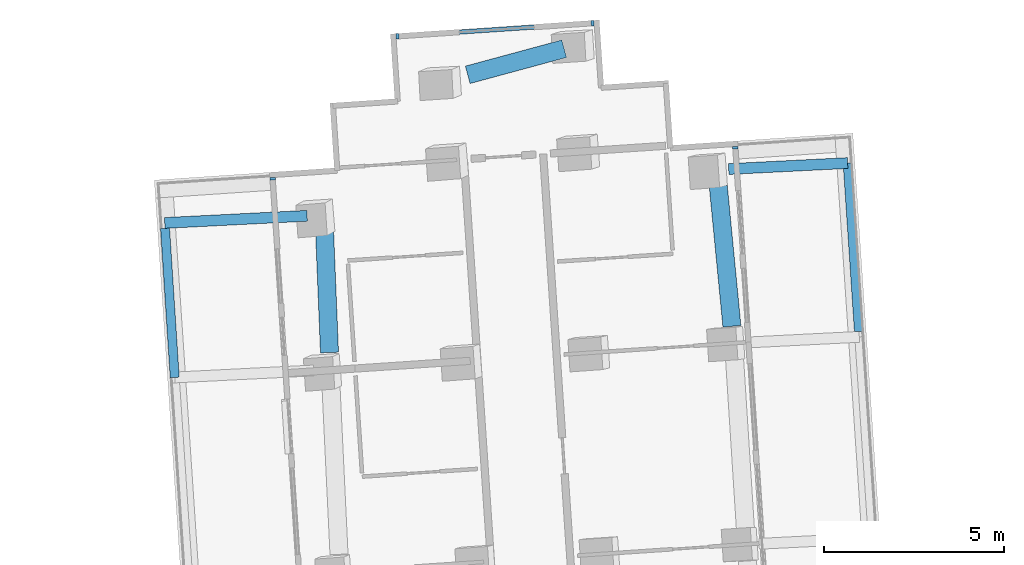
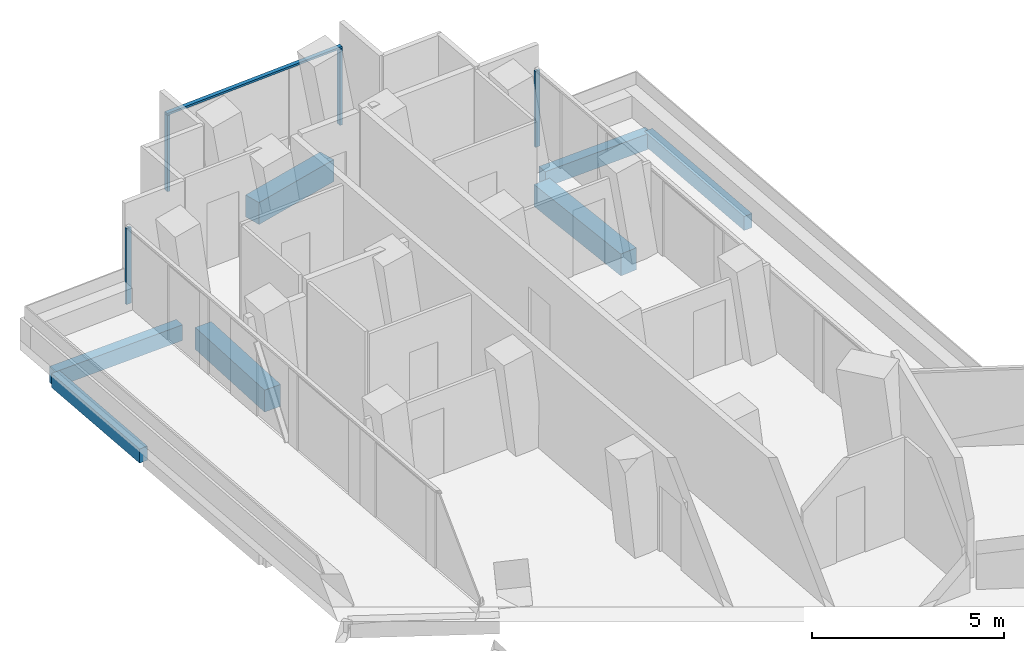
# One storey, part 12 of 25: 7 beams, 5 members, 3 elements without a shape of their own.
"""IFC4 building model written with IfcOpenShell, lengths in metres."""

from ifc_helpers import new_model, si_unit, direction, frame, origin, origin_2d, place, context, subcontext, project, spatial, rectangle, extrude, material, layer, layer_set, material_profile, profile_set, type_object, element, aggregate, save


model = new_model("IFC4")

# Units and contexts
model_context = context("Model", 3, precision=1e-05, world=origin(), true_north=direction((0.0, 1.0)))
body_context = subcontext(model_context, "Body", "Model", "MODEL_VIEW")
ifc_project = project(units=[si_unit("LENGTHUNIT", "METRE"), si_unit("AREAUNIT", "SQUARE_METRE"), si_unit("VOLUMEUNIT", "CUBIC_METRE"), si_unit("PLANEANGLEUNIT", "RADIAN"), si_unit("MASSUNIT", "GRAM", prefix="KILO")], contexts=[model_context])

# Site, building, storey
site_placement = place(None, origin())
site = spatial("IfcSite", under=ifc_project, at=site_placement, CompositionType="ELEMENT")
building_placement = place(site_placement, origin())
building = spatial("IfcBuilding", under=site, at=building_placement, Name="Verdalira Terraces Hotel", CompositionType="ELEMENT")
storey_placement = place(building_placement, frame((0.0, 0.0, 49.5)))
storey = spatial("IfcBuildingStorey", under=building, at=storey_placement, Name="L10", CompositionType="ELEMENT", Elevation=49.5)

# Beams
ifc_material_1 = material(Name="Concrete C40", Category="concrete")
ifc_material_profile_1 = material_profile(ifc_material_1, rectangle(XDim=0.300049, YDim=0.5, at=origin_2d()), Name="RC 300X500")
ifc_profile_set_1 = profile_set([ifc_material_profile_1], Name="Concrete C40")
beam_type_1 = type_object("IfcBeamType", Name="Balcony cantilever beam RC 300X500 C40", PredefinedType="BEAM", material=ifc_profile_set_1)
beam_1_placement = place(storey_placement, frame((3.490479, 40.572266, -0.560059), z_axis=(0.998738096, 0.050221667, 0.0), x_axis=(-0.050221667, 0.998738096, 0.0)))
element("IfcBeam", 1, at=beam_1_placement, inside=storey, type_object=beam_type_1, Name="Balcony cantilever beam R00-4", PredefinedType="BEAM", context=body_context, shape_type="SweptSolid", body=[
    extrude(rectangle(XDim=0.300049, YDim=0.5, at=origin_2d()), origin(), (0.0, 0.0, 1.0), 3.300781),
])
beam_2_placement = place(storey_placement, frame((-8.189453, 39.276855, -0.560059), z_axis=(-0.998736723, -0.050248961, 0.0), x_axis=(0.050248961, -0.998736723, 0.0)))
element("IfcBeam", 2, at=beam_2_placement, inside=storey, type_object=beam_type_1, Name="Balcony cantilever beam R10-4", PredefinedType="BEAM", context=body_context, shape_type="SweptSolid", body=[
    extrude(rectangle(XDim=0.300049, YDim=0.5, at=origin_2d()), origin(), (0.0, 0.0, 1.0), 3.949951),
])
ifc_material_2 = material(Name="Concrete C40", Category="concrete")
ifc_material_profile_2 = material_profile(ifc_material_2, rectangle(XDim=0.25, YDim=0.449951, at=origin_2d()), Name="RC 250X450")
ifc_profile_set_2 = profile_set([ifc_material_profile_2], Name="Concrete C40")
beam_type_2 = type_object("IfcBeamType", Name="Balcony edge beam RC 250X450 C40", PredefinedType="BEAM", material=ifc_profile_set_2)
beam_3_placement = place(storey_placement, frame((7.100098, 36.072754, -0.534912), z_axis=(-0.066938334, 0.997757114, 0.0), x_axis=(-0.997757114, -0.066938334, 0.0)))
element("IfcBeam", 3, at=beam_3_placement, inside=storey, type_object=beam_type_2, Name="Balcony edge beam R00-3", PredefinedType="BEAM", context=body_context, shape_type="SweptSolid", body=[
    extrude(rectangle(XDim=0.25, YDim=0.449951, at=origin_2d()), origin(), (0.0, 0.0, 1.0), 4.675781),
])
beam_4_placement = place(storey_placement, frame((-12.124756, 38.928711, -0.534912), z_axis=(0.064636142, -0.997908898, 0.0), x_axis=(0.997908898, 0.064636142, 0.0)))
element("IfcBeam", 4, at=beam_4_placement, inside=storey, type_object=beam_type_2, Name="Balcony edge beam R10-3", PredefinedType="BEAM", context=body_context, shape_type="SweptSolid", body=[
    extrude(rectangle(XDim=0.25, YDim=0.449951, at=origin_2d()), origin(), (0.0, 0.0, 1.0), 4.139648),
])

# Curtain wall, member
ifc_material_3 = material(Name="Clear glass", Category="glass")
ifc_layer_1 = layer(ifc_material_3, 0.14990234375)
ifc_layer_set_1 = layer_set([ifc_layer_1], Name="CW2 curtain wall")
curtain_wall_type_1 = type_object("IfcCurtainWallType", Name="CW2 curtain wall", PredefinedType="NOTDEFINED", material=ifc_layer_set_1)
curtain_wall_1_placement = place(storey_placement, origin())
curtain_wall_1 = element("IfcCurtainWall", 5, at=curtain_wall_1_placement, inside=storey, type_object=curtain_wall_type_1, Name="CW2 curtain wall L10 edge 0", PredefinedType="NOTDEFINED")
ifc_material_4 = material(Name="Terracotta frame", Category="masonry")
ifc_material_profile_3 = material_profile(ifc_material_4, rectangle(XDim=0.070068, YDim=0.149902, at=origin_2d()), Name="MU 70x150")
ifc_profile_set_3 = profile_set([ifc_material_profile_3], Name="Terracotta frame")
member_type_1 = type_object("IfcMemberType", Name="CW2 mullion 70x150", PredefinedType="MULLION", material=ifc_profile_set_3)
member_1_placement = place(storey_placement, frame((3.676758, 41.161621, 0.0), z_axis=(0.0, 0.0, 1.0), x_axis=(-0.066970481, 0.997754957, 0.0)))
member_1 = element("IfcMember", 6, at=member_1_placement, type_object=member_type_1, Name="CW2 mullion", PredefinedType="MULLION", context=body_context, shape_type="SweptSolid", body=[
    extrude(rectangle(XDim=0.070068, YDim=0.149902, at=origin_2d()), origin(), (0.0, 0.0, 1.0), 2.425049),
])
aggregate(curtain_wall_1, [member_1])

curtain_wall_2_placement = place(storey_placement, origin())
curtain_wall_2 = element("IfcCurtainWall", 7, at=curtain_wall_2_placement, inside=storey, type_object=curtain_wall_type_1, Name="CW2 curtain wall L10 edge 10", PredefinedType="NOTDEFINED")
member_2_placement = place(storey_placement, frame((-9.144531, 40.301025, 0.0), z_axis=(0.0, 0.0, 1.0), x_axis=(0.066970481, -0.997754957, 0.0)))
member_2 = element("IfcMember", 8, at=member_2_placement, type_object=member_type_1, Name="CW2 mullion", PredefinedType="MULLION", context=body_context, shape_type="SweptSolid", body=[
    extrude(rectangle(XDim=0.070068, YDim=0.149902, at=origin_2d()), origin(), (0.0, 0.0, 1.0), 2.425049),
])
aggregate(curtain_wall_2, [member_2])

# Curtain wall, members
ifc_material_5 = material(Name="Clear glass", Category="glass")
ifc_layer_2 = layer(ifc_material_5, 0.14990234375)
ifc_layer_set_2 = layer_set([ifc_layer_2], Name="CW3 curtain wall")
curtain_wall_type_2 = type_object("IfcCurtainWallType", Name="CW3 curtain wall", PredefinedType="NOTDEFINED", material=ifc_layer_set_2)
curtain_wall_3_placement = place(storey_placement, origin())
curtain_wall_3 = element("IfcCurtainWall", 9, at=curtain_wall_3_placement, inside=storey, type_object=curtain_wall_type_2, Name="CW3 curtain wall L10 edge 5", PredefinedType="NOTDEFINED")
ifc_material_6 = material(Name="Terracotta frame", Category="masonry")
ifc_material_profile_4 = material_profile(ifc_material_6, rectangle(XDim=0.080078, YDim=0.149902, at=origin_2d()), Name="MU 80x150")
ifc_profile_set_4 = profile_set([ifc_material_profile_4], Name="Terracotta frame")
member_type_2 = type_object("IfcMemberType", Name="CW3 mullion 80x150", PredefinedType="MULLION", material=ifc_profile_set_4)
member_3_placement = place(storey_placement, frame((-0.278564, 44.614502, 0.0), z_axis=(0.0, 0.0, 1.0), x_axis=(-0.997754957, -0.066970481, 0.0)))
member_3 = element("IfcMember", 10, at=member_3_placement, type_object=member_type_2, Name="CW3 mullion", PredefinedType="MULLION", context=body_context, shape_type="SweptSolid", body=[
    extrude(rectangle(XDim=0.080078, YDim=0.149902, at=origin_2d()), origin(), (0.0, 0.0, 1.0), 2.425049),
])
member_4_placement = place(storey_placement, frame((-5.686279, 44.251465, 0.0), z_axis=(0.0, 0.0, 1.0), x_axis=(-0.997754957, -0.066970481, 0.0)))
member_4 = element("IfcMember", 11, at=member_4_placement, type_object=member_type_2, Name="CW3 mullion", PredefinedType="MULLION", context=body_context, shape_type="SweptSolid", body=[
    extrude(rectangle(XDim=0.080078, YDim=0.149902, at=origin_2d()), origin(), (0.0, 0.0, 1.0), 2.425049),
])
ifc_material_7 = material(Name="Terracotta frame", Category="masonry")
ifc_material_profile_5 = material_profile(ifc_material_7, rectangle(XDim=0.120117, YDim=0.064941, at=origin_2d()), Name="TR 65x120")
ifc_profile_set_5 = profile_set([ifc_material_profile_5], Name="Terracotta frame")
member_type_3 = type_object("IfcMemberType", Name="CW3 transom 65x120", PredefinedType="USERDEFINED", material=ifc_profile_set_5)
member_5_placement = place(storey_placement, frame((-0.238525, 44.617188, 2.45752), z_axis=(-0.997754215, -0.066981542, 0.0), x_axis=(0.066981542, -0.997754215, 0.0)))
member_5 = element("IfcMember", 12, at=member_5_placement, type_object=member_type_3, Name="CW3 transom", ObjectType="TRANSOM", PredefinedType="USERDEFINED", context=body_context, shape_type="SweptSolid", body=[
    extrude(rectangle(XDim=0.120117, YDim=0.064941, at=origin_2d()), origin(), (0.0, 0.0, 1.0), 5.500244),
])
aggregate(curtain_wall_3, [member_3, member_4, member_5])

# Beams
ifc_material_8 = material(Name="Concrete C70", Category="concrete")
ifc_material_profile_6 = material_profile(ifc_material_8, rectangle(XDim=0.5, YDim=0.699951, at=origin_2d()), Name="RC 500X700")
ifc_profile_set_6 = profile_set([ifc_material_profile_6], Name="Concrete C70")
beam_type_3 = type_object("IfcBeamType", Name="Spandrel beam RC 500X700 C70", PredefinedType="SPANDREL", material=ifc_profile_set_6)
beam_5_placement = place(storey_placement, frame((3.580811, 36.21582, -0.659912), z_axis=(-0.096782339, 0.995305571, 0.0), x_axis=(-0.995305571, -0.096782339, 0.0)))
element("IfcBeam", 13, at=beam_5_placement, inside=storey, type_object=beam_type_3, Name="Spandrel beam B03", PredefinedType="SPANDREL", context=body_context, shape_type="SweptSolid", body=[
    extrude(rectangle(XDim=0.5, YDim=0.699951, at=origin_2d()), origin(), (0.0, 0.0, 1.0), 3.899902),
])
beam_6_placement = place(storey_placement, frame((-1.068115, 43.906006, -0.659912), z_axis=(-0.965263007, -0.261280169, 0.0), x_axis=(0.261280169, -0.965263007, 0.0)))
element("IfcBeam", 14, at=beam_6_placement, inside=storey, type_object=beam_type_3, Name="Spandrel beam B04", PredefinedType="SPANDREL", context=body_context, shape_type="SweptSolid", body=[
    extrude(rectangle(XDim=0.5, YDim=0.699951, at=origin_2d()), origin(), (0.0, 0.0, 1.0), 2.766846),
])
beam_7_placement = place(storey_placement, frame((-7.706543, 38.873047, -0.659912), z_axis=(0.040578251, -0.999176364, 0.0), x_axis=(0.999176364, 0.040578251, 0.0)))
element("IfcBeam", 15, at=beam_7_placement, inside=storey, type_object=beam_type_3, Name="Spandrel beam B05", PredefinedType="SPANDREL", context=body_context, shape_type="SweptSolid", body=[
    extrude(rectangle(XDim=0.5, YDim=0.699951, at=origin_2d()), origin(), (0.0, 0.0, 1.0), 3.387207),
])

save(model, "model.ifc")
